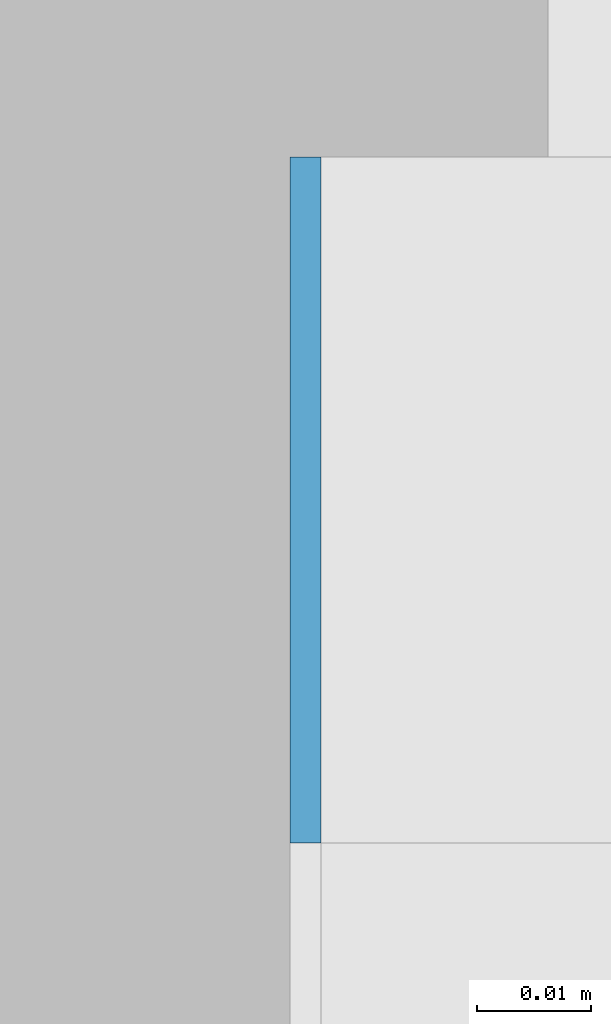
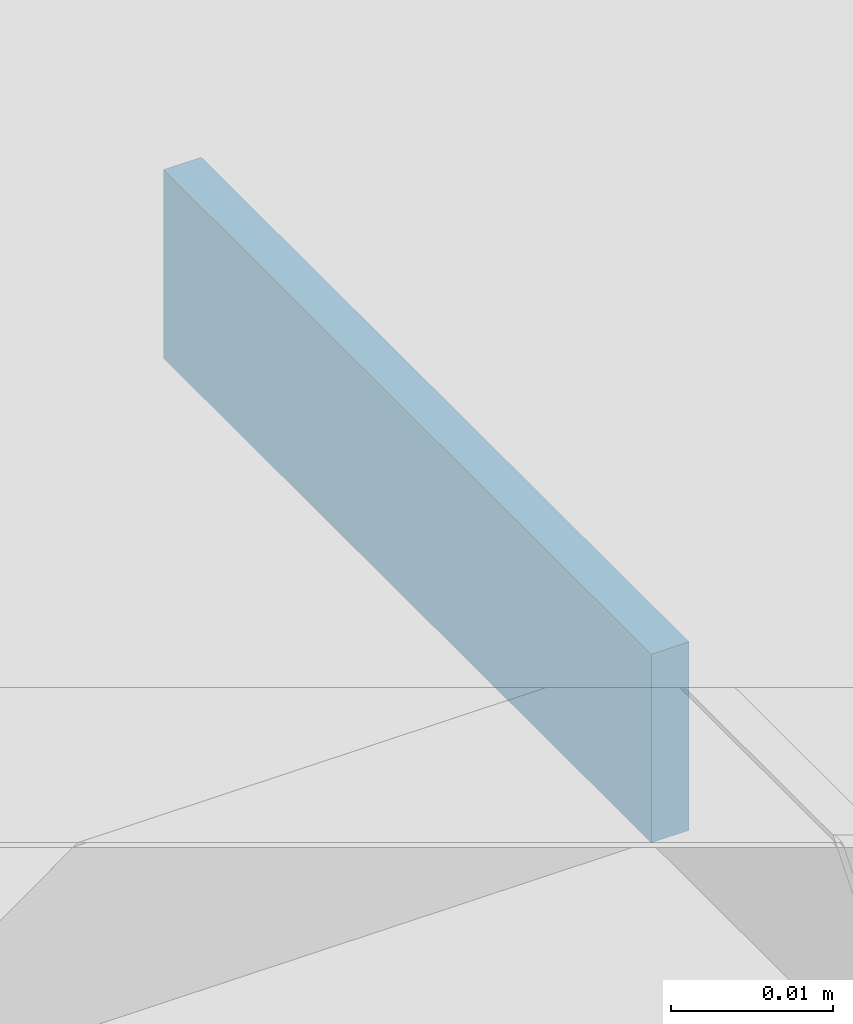
# One storey, part 461 of 646: 1 discrete accessory.
"""IFC4 building model written with IfcOpenShell, lengths in metres."""

import ifcopenshell
import ifcopenshell.guid

model = None  # the IFC model being written
_history = None  # IfcOwnerHistory: only IFC2X3 demands one
_inside = {}  # id of a spatial element -> (the spatial element, [elements in it])
_under = {}  # id of a project, library or spatial element -> (it, [spatial elements below it])
_declared = {}  # id of a project -> (the project, [libraries it declares])
_typed = {}  # id of a type object -> (the type object, [elements of that type])
_made_of = {}  # id of a material, layer set ... -> (it, [elements and type objects made of it])


def new_model(schema):
    """Start an empty IFC model of exactly this schema.

    Asked for "IFC4X3", IfcOpenShell would pick the latest addendum, in which some entities
    have other attributes; the version numbers below select the first issue.
    IFC2X3 requires an IfcOwnerHistory on every rooted entity: one is made here for all.
    """
    global model, _history
    if schema == "IFC4X3":
        model = ifcopenshell.file(schema_version=(4, 3, 0, 0))
    else:
        model = ifcopenshell.file(schema=schema)
    _inside.clear()
    _under.clear()
    _declared.clear()
    _typed.clear()
    _made_of.clear()
    _history = None
    if model.schema == "IFC2X3":
        org = make("IfcOrganization", Name="unknown")
        user = make(
            "IfcPersonAndOrganization",
            ThePerson=make("IfcPerson", FamilyName="unknown"),
            TheOrganization=org,
        )
        app = make(
            "IfcApplication",
            ApplicationDeveloper=org,
            Version="unknown",
            ApplicationFullName="unknown",
            ApplicationIdentifier="unknown",
        )
        _history = make(
            "IfcOwnerHistory",
            OwningUser=user,
            OwningApplication=app,
            ChangeAction="ADDED",
            CreationDate=0,
        )
    return model


def make(cls, **values):
    """One entity of the class cls with the attributes given. An attribute that is None is left unset."""
    return model.create_entity(
        cls, **{name: value for name, value in values.items() if value is not None}
    )


def rooted(cls, **values):
    """An entity with a GlobalId (a new one), such as an element, a storey or a relation."""
    return make(cls, GlobalId=ifcopenshell.guid.new(), OwnerHistory=_history, **values)


def si_unit(unit_type, name, prefix=None):
    """IfcSIUnit, for example si_unit("LENGTHUNIT", "METRE", prefix="MILLI")."""
    return make("IfcSIUnit", UnitType=unit_type, Prefix=prefix, Name=name)


def assignment(units):
    """IfcUnitAssignment: the units of a project."""
    return None if units is None else make("IfcUnitAssignment", Units=units)


def point(xyz):
    """IfcCartesianPoint."""
    return None if xyz is None else make("IfcCartesianPoint", Coordinates=xyz)


def direction(xyz):
    """IfcDirection."""
    return None if xyz is None else make("IfcDirection", DirectionRatios=xyz)


def frame(location, z_axis=None, x_axis=None):
    """IfcAxis2Placement3D, a coordinate frame: its origin and axes. An axis left out is left unset."""
    return make(
        "IfcAxis2Placement3D",
        Location=point(location),
        Axis=direction(z_axis),
        RefDirection=direction(x_axis),
    )


def frame_2d(location, x_axis=None):
    """IfcAxis2Placement2D, a coordinate frame in the plane: its origin and x axis."""
    return make(
        "IfcAxis2Placement2D", Location=point(location), RefDirection=direction(x_axis)
    )


def origin():
    """The frame at (0, 0, 0) with its axes left unset."""
    return frame((0.0, 0.0, 0.0))


def origin_2d():
    """The frame at (0, 0) in the plane with its x axis left unset."""
    return frame_2d((0.0, 0.0))


def place(relative_to, where):
    """IfcLocalPlacement: puts the frame where relative to a parent placement (None: the world)."""
    return make(
        "IfcLocalPlacement", PlacementRelTo=relative_to, RelativePlacement=where
    )


def context(
    kind, dimensions, precision=None, world=None, true_north=None, identifier=None
):
    """IfcGeometricRepresentationContext, for example the 3D "Model" context."""
    return make(
        "IfcGeometricRepresentationContext",
        ContextIdentifier=identifier,
        ContextType=kind,
        CoordinateSpaceDimension=dimensions,
        Precision=precision,
        WorldCoordinateSystem=world,
        TrueNorth=true_north,
    )


def subcontext(parent, identifier, kind, view, scale=None):
    """IfcGeometricRepresentationSubContext, for example "Body" below "Model"."""
    return make(
        "IfcGeometricRepresentationSubContext",
        ContextIdentifier=identifier,
        ContextType=kind,
        ParentContext=parent,
        TargetScale=scale,
        TargetView=view,
    )


def project(units=None, contexts=None):
    """IfcProject with its units and contexts."""
    return rooted(
        "IfcProject",
        Name="project",
        RepresentationContexts=contexts,
        UnitsInContext=assignment(units),
    )


def spatial(cls, under=None, at=None, **own):
    """A site, building, storey or space (cls), placed at a placement, below another one or the project."""
    s = rooted(cls, ObjectPlacement=at, **own)
    if under is not None:
        _under.setdefault(under.id(), (under, []))[1].append(s)
    return s


def profile(cls, at=None, kind="AREA", **sizes):
    """A parametric profile (cls). Its sizes go by their IFC names, for example OverallWidth=200.0."""
    return make(cls, ProfileType=kind, Position=at, **sizes)


def rectangle(**sizes):
    """IfcRectangleProfileDef."""
    return profile("IfcRectangleProfileDef", **sizes)


def extrude(swept, where, along, depth):
    """IfcExtrudedAreaSolid: the profile swept, set in the frame where, extruded along a direction by depth."""
    return make(
        "IfcExtrudedAreaSolid",
        SweptArea=swept,
        Position=where,
        ExtrudedDirection=direction(along),
        Depth=depth,
    )


def shape(context_of_items, identifier, shape_type, items):
    """IfcShapeRepresentation: the items that make up one representation, for example the "Body"."""
    return make(
        "IfcShapeRepresentation",
        ContextOfItems=context_of_items,
        RepresentationIdentifier=identifier,
        RepresentationType=shape_type,
        Items=items,
    )


def material(Name=None, Category=None):
    """IfcMaterial."""
    return make("IfcMaterial", Name=Name, Category=Category)


def made_of(thing, what):
    """Note that an element or type object is made of a material, layer set ...; save() writes the relation."""
    if what is not None:
        _made_of.setdefault(what.id(), (what, []))[1].append(thing)
    return thing


def type_object(cls, material=None, **own):
    """A type object (cls), such as IfcWallType, which elements share."""
    return made_of(rooted(cls, **own), material)


def element(
    cls,
    number,
    at=None,
    inside=None,
    cuts=None,
    type_object=None,
    material=None,
    context=None,
    identifier="Body",
    shape_type=None,
    held_by="IfcProductDefinitionShape",
    body=None,
    shapes=None,
    **own,
):
    """One element of the class cls, such as IfcWall. Its Tag is "e" and its number.

    at: its placement. inside: the storey or other place that contains it. cuts: it is an
    opening in that element (IfcRelVoidsElement). A single representation is given by context,
    identifier, shape_type and body (its items); several are given by shapes. held_by: the class
    of the entity that holds the representations. save() writes the other relations.
    """
    e = rooted(cls, Tag="e%d" % number, ObjectPlacement=at, **own)
    if body is not None:
        shapes = [shape(context, identifier, shape_type, body)]
    if shapes is not None:
        e.Representation = make(held_by, Representations=shapes)
    if inside is not None:
        _inside.setdefault(inside.id(), (inside, []))[1].append(e)
    if cuts is not None:
        rooted(
            "IfcRelVoidsElement", RelatingBuildingElement=cuts, RelatedOpeningElement=e
        )
    if type_object is not None:
        _typed.setdefault(type_object.id(), (type_object, []))[1].append(e)
    return made_of(e, material)


def aggregate(whole, parts):
    """IfcRelAggregates: a whole, such as a stair, and the parts it consists of."""
    return rooted("IfcRelAggregates", RelatingObject=whole, RelatedObjects=parts)


def save(model, path):
    """Write the relations noted so far, then the file.

    IfcRelAggregates (storeys below a building ...), IfcRelContainedInSpatialStructure (elements
    in a storey), IfcRelDefinesByType, IfcRelAssociatesMaterial and IfcRelDeclares: one each for
    every whole, place, type object, material and project.
    """
    for whole, parts in _under.values():
        aggregate(whole, parts)
    for where, things in _inside.values():
        rooted(
            "IfcRelContainedInSpatialStructure",
            RelatedElements=things,
            RelatingStructure=where,
        )
    for kind, things in _typed.values():
        rooted("IfcRelDefinesByType", RelatedObjects=things, RelatingType=kind)
    for what, things in _made_of.values():
        rooted("IfcRelAssociatesMaterial", RelatedObjects=things, RelatingMaterial=what)
    for by, libraries in _declared.values():
        rooted("IfcRelDeclares", RelatingContext=by, RelatedDefinitions=libraries)
    model.write(path)


model = new_model("IFC4")

# Units and contexts
model_context = context("Model", 3, precision=1e-05, world=origin(), true_north=direction((0.0, 1.0)))
body_context = subcontext(model_context, "Body", "Model", "MODEL_VIEW")
ifc_project = project(units=[si_unit("LENGTHUNIT", "METRE"), si_unit("AREAUNIT", "SQUARE_METRE"), si_unit("VOLUMEUNIT", "CUBIC_METRE"), si_unit("PLANEANGLEUNIT", "RADIAN"), si_unit("MASSUNIT", "GRAM", prefix="KILO")], contexts=[model_context])

# Site, building, storey
site_placement = place(None, origin())
site = spatial("IfcSite", under=ifc_project, at=site_placement, CompositionType="ELEMENT")
building_placement = place(site_placement, origin())
building = spatial("IfcBuilding", under=site, at=building_placement, Name="Silverbay Arena", CompositionType="ELEMENT")
storey_placement = place(building_placement, frame((0.0, 0.0, 33.5)))
storey = spatial("IfcBuildingStorey", under=building, at=storey_placement, Name="L05", CompositionType="ELEMENT", Elevation=33.5)

# Discrete accessory
ifc_material = material(Name="Steel S355", Category="steel")
discrete_accessory_type = type_object("IfcDiscreteAccessoryType", Name="Steel bracket plate", PredefinedType="BRACKET", material=ifc_material)
discrete_accessory_placement = place(storey_placement, frame((207.128662109375, 45.030029296875, 12.98583984375), z_axis=(0.0, 0.0, 1.0), x_axis=(1.0, 0.0, 0.0)))
element("IfcDiscreteAccessory", 1, at=discrete_accessory_placement, inside=storey, type_object=discrete_accessory_type, Name="Curtain wall packing plate", PredefinedType="BRACKET", context=body_context, shape_type="SweptSolid", body=[
    extrude(rectangle(XDim=0.002685546875, YDim=0.06005859375, at=origin_2d()), origin(), (0.0, 0.0, 1.0), 0.01416015625),
])

save(model, "model.ifc")
